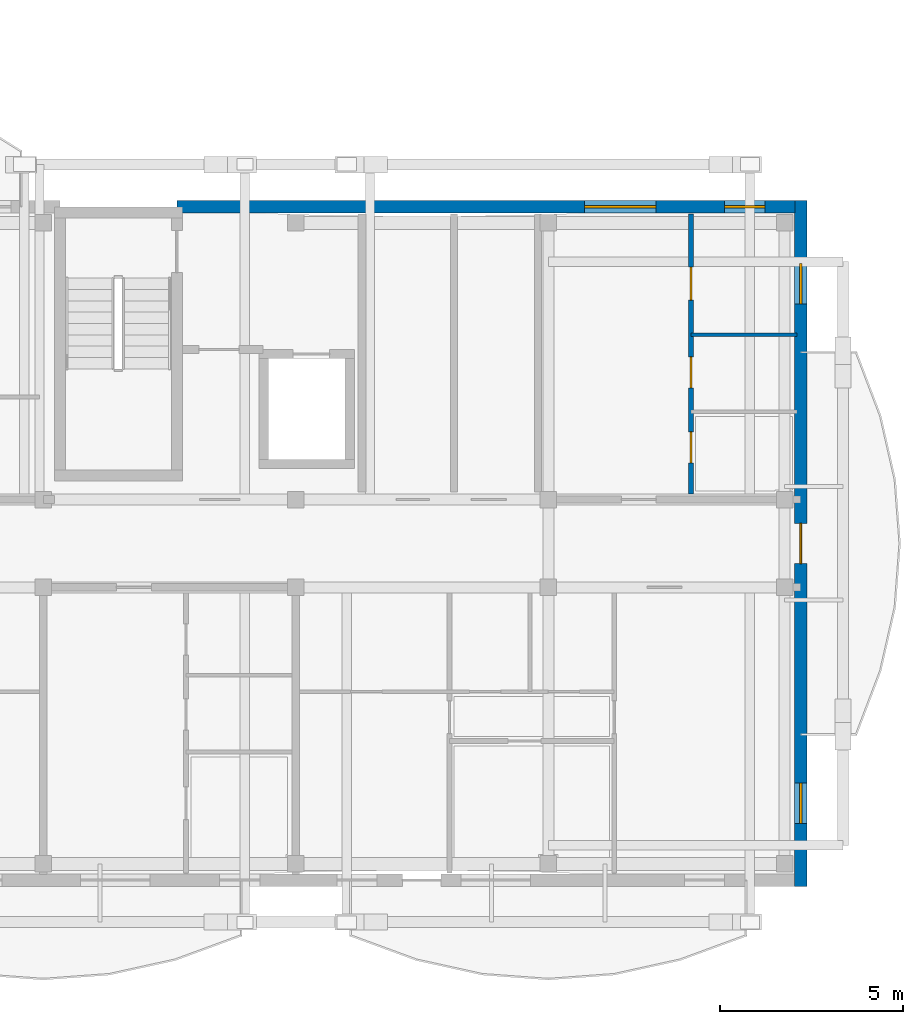
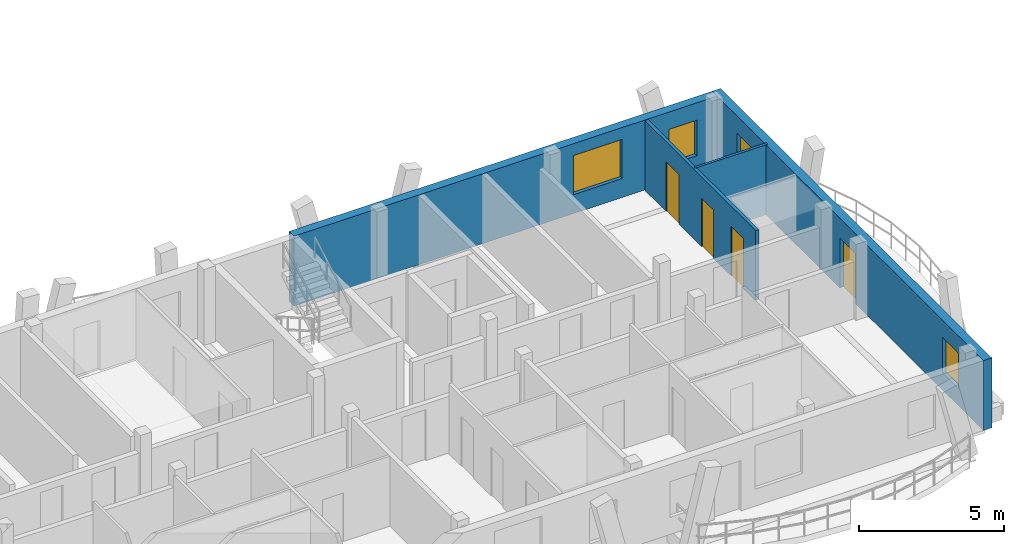
# One storey, part 31 of 48: 4 doors, 4 walls, 4 windows, 8 openings.
"""IFC4 building model written with IfcOpenShell, lengths in metres."""

from ifc_helpers import new_model, si_unit, direction, frame, frame_2d, origin, origin_with_axes, place, context, subcontext, project, spatial, rectangle, extrude, material, layer, layer_set, type_object, element, fill, save


model = new_model("IFC4")

# Units and contexts
model_context = context("Model", 3, precision=1e-05, world=origin(), true_north=direction((0.0, 1.0)))
body_context = subcontext(model_context, "Body", "Model", "MODEL_VIEW")
ifc_project = project(units=[si_unit("LENGTHUNIT", "METRE"), si_unit("AREAUNIT", "SQUARE_METRE"), si_unit("VOLUMEUNIT", "CUBIC_METRE"), si_unit("PLANEANGLEUNIT", "RADIAN"), si_unit("MASSUNIT", "GRAM", prefix="KILO")], contexts=[model_context])

# Site, building, storey
site_placement = place(None, origin())
site = spatial("IfcSite", under=ifc_project, at=site_placement, CompositionType="ELEMENT")
building_placement = place(site_placement, origin())
building = spatial("IfcBuilding", under=site, at=building_placement, Name="Zavelmont Quarter", CompositionType="ELEMENT")
storey_placement = place(building_placement, frame((0.0, 0.0, 17.60009765625)))
storey = spatial("IfcBuildingStorey", under=building, at=storey_placement, Name="L05", CompositionType="ELEMENT", Elevation=17.60009765625)

# Wall, openings, windows
ifc_material_1 = material(Name="Natural Belgian limestone", Category="masonry")
ifc_layer_1 = layer(ifc_material_1, 0.340087890625)
ifc_layer_set_1 = layer_set([ifc_layer_1], Name="Natural Belgian limestone")
wall_type_1 = type_object("IfcWallType", Name="EW03", PredefinedType="STANDARD", material=ifc_layer_set_1)
wall_1_placement = place(storey_placement, frame((150.949951171875, 18.39990234375, 0.0), z_axis=(0.0, 0.0, 1.0), x_axis=(1.0, 0.0, 0.0)))
wall_1 = element("IfcWall", 1, at=wall_1_placement, inside=storey, type_object=wall_type_1, Name="L05 exterior limestone wall EW03", PredefinedType="STANDARD", context=body_context, shape_type="SweptSolid", body=[
    extrude(rectangle(XDim=16.89013671875, YDim=0.340087890625, at=frame_2d((8.445068359375, 0.0))), origin(), (0.0, 0.0, 1.0), 2.949951171875),
])
opening_1_placement = place(wall_1_placement, frame((11.14501953125, 0.0, 0.800048828125)))
opening_1 = element("IfcOpeningElement", 2, at=opening_1_placement, cuts=wall_1, Name="Opening WN24", PredefinedType="OPENING", context=body_context, shape_type="SweptSolid", body=[
    extrude(rectangle(XDim=1.949951171875, YDim=1.64990234375, at=frame_2d((0.97509765625, 0.824951171875))), frame((0.0, 0.18212890625, 0.0), z_axis=(0.0, -1.0, 0.0), x_axis=(1.0, 0.0, 0.0)), (0.0, 0.0, 1.0), 0.364013671875),
])
opening_2_placement = place(wall_1_placement, frame((14.969970703125, 0.0, 0.719970703125)))
opening_2 = element("IfcOpeningElement", 3, at=opening_2_placement, cuts=wall_1, Name="Opening WN09", PredefinedType="OPENING", context=body_context, shape_type="SweptSolid", body=[
    extrude(rectangle(XDim=1.10009765625, YDim=1.5, at=frame_2d((0.550048828125, 0.75))), frame((0.0, 0.18212890625, 0.0), z_axis=(0.0, -1.0, 0.0), x_axis=(1.0, 0.0, 0.0)), (0.0, 0.0, 1.0), 0.364013671875),
])
ifc_material_2 = material(Name="Double low-E insulated glazing in thermally broken aluminium frame", Category="aluminium")
window_type_1 = type_object("IfcWindowType", Name="WN09", PartitioningType="SINGLE_PANEL", PredefinedType="WINDOW", material=ifc_material_2)
window_1_placement = place(opening_2_placement, origin_with_axes())
window_1 = element("IfcWindow", 4, at=window_1_placement, inside=storey, type_object=window_type_1, Name="L05 window WN09", OverallHeight=1.5, OverallWidth=1.10009765625, PartitioningType="SINGLE_PANEL", PredefinedType="WINDOW", context=body_context, shape_type="SweptSolid", body=[
    extrude(rectangle(XDim=1.10009765625, YDim=1.5, at=frame_2d((0.550048828125, 0.75))), frame((0.0, 0.030029296875, 0.0), z_axis=(0.0, -1.0, 0.0), x_axis=(1.0, 0.0, 0.0)), (0.0, 0.0, 1.0), 0.06005859375),
])
fill(opening_2, window_1)
window_type_2 = type_object("IfcWindowType", Name="WN24", PartitioningType="SINGLE_PANEL", PredefinedType="WINDOW", material=ifc_material_2)
window_2_placement = place(opening_1_placement, origin_with_axes())
window_2 = element("IfcWindow", 5, at=window_2_placement, inside=storey, type_object=window_type_2, Name="L05 window WN24", OverallHeight=1.64990234375, OverallWidth=1.949951171875, PartitioningType="SINGLE_PANEL", PredefinedType="WINDOW", context=body_context, shape_type="SweptSolid", body=[
    extrude(rectangle(XDim=1.949951171875, YDim=1.64990234375, at=frame_2d((0.97509765625, 0.824951171875))), frame((0.0, 0.030029296875, 0.0), z_axis=(0.0, -1.0, 0.0), x_axis=(1.0, 0.0, 0.0)), (0.0, 0.0, 1.0), 0.06005859375),
])
fill(opening_1, window_2)

# Wall, openings, door, windows
wall_2_placement = place(storey_placement, frame((168.0, -0.169921875, 0.0), z_axis=(0.0, 0.0, 1.0), x_axis=(0.0, 1.0, 0.0)))
wall_2 = element("IfcWall", 6, at=wall_2_placement, inside=storey, type_object=wall_type_1, Name="L05 exterior limestone wall EW03", PredefinedType="STANDARD", context=body_context, shape_type="SweptSolid", body=[
    extrude(rectangle(XDim=18.739990234375, YDim=0.340087890625, at=frame_2d((9.3701171875, 0.0))), origin(), (0.0, 0.0, 1.0), 2.949951171875),
])
opening_3_placement = place(wall_2_placement, frame((8.820068359375, 0.0, 0.0)))
opening_3 = element("IfcOpeningElement", 7, at=opening_3_placement, cuts=wall_2, Name="Opening DR04B", PredefinedType="OPENING", context=body_context, shape_type="SweptSolid", body=[
    extrude(rectangle(XDim=1.10009765625, YDim=2.10009765625, at=frame_2d((0.550048828125, 1.050048828125))), frame((0.0, 0.18212890625, 0.0), z_axis=(0.0, -1.0, 0.0), x_axis=(1.0, 0.0, 0.0)), (0.0, 0.0, 1.0), 0.364013671875),
])
opening_4_placement = place(wall_2_placement, frame((1.719970703125, 0.0, 0.719970703125)))
opening_4 = element("IfcOpeningElement", 8, at=opening_4_placement, cuts=wall_2, Name="Opening WN09", PredefinedType="OPENING", context=body_context, shape_type="SweptSolid", body=[
    extrude(rectangle(XDim=1.10009765625, YDim=1.5, at=frame_2d((0.550048828125, 0.75))), frame((0.0, 0.18212890625, 0.0), z_axis=(0.0, -1.0, 0.0), x_axis=(1.0, 0.0, 0.0)), (0.0, 0.0, 1.0), 0.364013671875),
])
opening_5_placement = place(wall_2_placement, frame((15.919921875, 0.0, 0.719970703125)))
opening_5 = element("IfcOpeningElement", 9, at=opening_5_placement, cuts=wall_2, Name="Opening WN09", PredefinedType="OPENING", context=body_context, shape_type="SweptSolid", body=[
    extrude(rectangle(XDim=1.10009765625, YDim=1.5, at=frame_2d((0.550048828125, 0.75))), frame((0.0, 0.18212890625, 0.0), z_axis=(0.0, -1.0, 0.0), x_axis=(1.0, 0.0, 0.0)), (0.0, 0.0, 1.0), 0.364013671875),
])
ifc_material_3 = material(Name="Thermally broken aluminium and double safety glass", Category="aluminium")
door_type_1 = type_object("IfcDoorType", Name="DR04B", OperationType="NOTDEFINED", PredefinedType="DOOR", material=ifc_material_3)
door_1_placement = place(opening_3_placement, origin_with_axes())
door_1 = element("IfcDoor", 10, at=door_1_placement, inside=storey, type_object=door_type_1, Name="Block D L05 terrace or vase balcony door", OperationType="SINGLE_SWING_LEFT", OverallHeight=2.10009765625, OverallWidth=1.10009765625, PredefinedType="DOOR", context=body_context, shape_type="SweptSolid", body=[
    extrude(rectangle(XDim=1.10009765625, YDim=2.10009765625, at=frame_2d((0.550048828125, 1.050048828125))), frame((0.0, 0.02490234375, 0.0), z_axis=(0.0, -1.0, 0.0), x_axis=(1.0, 0.0, 0.0)), (0.0, 0.0, 1.0), 0.050048828125),
])
fill(opening_3, door_1)
window_3_placement = place(opening_4_placement, origin_with_axes())
window_3 = element("IfcWindow", 11, at=window_3_placement, inside=storey, type_object=window_type_1, Name="L05 window WN09", OverallHeight=1.5, OverallWidth=1.10009765625, PartitioningType="SINGLE_PANEL", PredefinedType="WINDOW", context=body_context, shape_type="SweptSolid", body=[
    extrude(rectangle(XDim=1.10009765625, YDim=1.5, at=frame_2d((0.550048828125, 0.75))), frame((0.0, 0.030029296875, 0.0), z_axis=(0.0, -1.0, 0.0), x_axis=(1.0, 0.0, 0.0)), (0.0, 0.0, 1.0), 0.06005859375),
])
fill(opening_4, window_3)
window_4_placement = place(opening_5_placement, origin_with_axes())
window_4 = element("IfcWindow", 12, at=window_4_placement, inside=storey, type_object=window_type_1, Name="L05 window WN09", OverallHeight=1.5, OverallWidth=1.10009765625, PartitioningType="SINGLE_PANEL", PredefinedType="WINDOW", context=body_context, shape_type="SweptSolid", body=[
    extrude(rectangle(XDim=1.10009765625, YDim=1.5, at=frame_2d((0.550048828125, 0.75))), frame((0.0, 0.030029296875, 0.0), z_axis=(0.0, -1.0, 0.0), x_axis=(1.0, 0.0, 0.0)), (0.0, 0.0, 1.0), 0.06005859375),
])
fill(opening_5, window_4)

# Wall, openings, doors
ifc_material_4 = material(Name="Double gypsum board on acoustic steel stud", Category="steel")
ifc_layer_2 = layer(ifc_material_4, 0.125)
ifc_layer_set_2 = layer_set([ifc_layer_2], Name="Double gypsum board on acoustic steel stud")
wall_type_2 = type_object("IfcWallType", Name="IW03", PredefinedType="PARTITIONING", material=ifc_layer_set_2)
wall_3_placement = place(storey_placement, frame((165.0, 10.550048828125, 0.0), z_axis=(0.0, 0.0, 1.0), x_axis=(0.0, 1.0, 0.0)))
wall_3 = element("IfcWall", 13, at=wall_3_placement, inside=storey, type_object=wall_type_2, Name="L05 Partition IW03", PredefinedType="PARTITIONING", context=body_context, shape_type="SweptSolid", body=[
    extrude(rectangle(XDim=7.64990234375, YDim=0.125, at=frame_2d((3.824951171875, 0.0))), origin(), (0.0, 0.0, 1.0), 2.949951171875),
])
opening_6_placement = place(wall_3_placement, frame((0.85009765625, 0.0, 0.0)))
opening_6 = element("IfcOpeningElement", 14, at=opening_6_placement, cuts=wall_3, Name="Opening DR16", PredefinedType="OPENING", context=body_context, shape_type="SweptSolid", body=[
    extrude(rectangle(XDim=0.85009765625, YDim=2.10009765625, at=frame_2d((0.425048828125, 1.050048828125))), frame((0.0, 0.074462890625, 0.0), z_axis=(0.0, -1.0, 0.0), x_axis=(1.0, 0.0, 0.0)), (0.0, 0.0, 1.0), 0.14892578125),
])
opening_7_placement = place(wall_3_placement, frame((2.89990234375, 0.0, 0.0)))
opening_7 = element("IfcOpeningElement", 15, at=opening_7_placement, cuts=wall_3, Name="Opening DR06", PredefinedType="OPENING", context=body_context, shape_type="SweptSolid", body=[
    extrude(rectangle(XDim=0.85009765625, YDim=2.050048828125, at=frame_2d((0.425048828125, 1.02490234375))), frame((0.0, 0.074462890625, 0.0), z_axis=(0.0, -1.0, 0.0), x_axis=(1.0, 0.0, 0.0)), (0.0, 0.0, 1.0), 0.14892578125),
])
opening_8_placement = place(wall_3_placement, frame((5.300048828125, 0.0, 0.0)))
opening_8 = element("IfcOpeningElement", 16, at=opening_8_placement, cuts=wall_3, Name="Opening DR05", PredefinedType="OPENING", context=body_context, shape_type="SweptSolid", body=[
    extrude(rectangle(XDim=0.89990234375, YDim=2.10009765625, at=frame_2d((0.449951171875, 1.050048828125))), frame((0.0, 0.074462890625, 0.0), z_axis=(0.0, -1.0, 0.0), x_axis=(1.0, 0.0, 0.0)), (0.0, 0.0, 1.0), 0.14892578125),
])
ifc_material_5 = material(Name="Engineered oak flush interior door")
door_type_2 = type_object("IfcDoorType", Name="DR05", OperationType="NOTDEFINED", PredefinedType="DOOR", material=ifc_material_5)
door_2_placement = place(opening_8_placement, origin_with_axes())
door_2 = element("IfcDoor", 17, at=door_2_placement, inside=storey, type_object=door_type_2, Name="L05 door DR05", OperationType="SINGLE_SWING_RIGHT", OverallHeight=2.10009765625, OverallWidth=0.89990234375, PredefinedType="DOOR", context=body_context, shape_type="SweptSolid", body=[
    extrude(rectangle(XDim=0.89990234375, YDim=2.10009765625, at=frame_2d((0.449951171875, 1.050048828125))), frame((0.0, 0.02490234375, 0.0), z_axis=(0.0, -1.0, 0.0), x_axis=(1.0, 0.0, 0.0)), (0.0, 0.0, 1.0), 0.050048828125),
])
fill(opening_8, door_2)
ifc_material_6 = material(Name="Moisture-resistant painted wet-room door")
door_type_3 = type_object("IfcDoorType", Name="DR06", OperationType="NOTDEFINED", PredefinedType="DOOR", material=ifc_material_6)
door_3_placement = place(opening_7_placement, frame((0.85009765625, 0.0, 0.0), z_axis=(0.0, 0.0, 1.0), x_axis=(-1.0, 0.0, 0.0)))
door_3 = element("IfcDoor", 18, at=door_3_placement, inside=storey, type_object=door_type_3, Name="L05 door DR06", OperationType="SINGLE_SWING_LEFT", OverallHeight=2.050048828125, OverallWidth=0.85009765625, PredefinedType="DOOR", context=body_context, shape_type="SweptSolid", body=[
    extrude(rectangle(XDim=0.85009765625, YDim=2.050048828125, at=frame_2d((0.425048828125, 1.02490234375))), frame((0.0, 0.02490234375, 0.0), z_axis=(0.0, -1.0, 0.0), x_axis=(1.0, 0.0, 0.0)), (0.0, 0.0, 1.0), 0.050048828125),
])
fill(opening_7, door_3)
door_type_4 = type_object("IfcDoorType", Name="DR16", OperationType="NOTDEFINED", PredefinedType="DOOR", material=ifc_material_5)
door_4_placement = place(opening_6_placement, origin_with_axes())
door_4 = element("IfcDoor", 19, at=door_4_placement, inside=storey, type_object=door_type_4, Name="L05 door DR16", OperationType="SINGLE_SWING_RIGHT", OverallHeight=2.10009765625, OverallWidth=0.85009765625, PredefinedType="DOOR", context=body_context, shape_type="SweptSolid", body=[
    extrude(rectangle(XDim=0.85009765625, YDim=2.10009765625, at=frame_2d((0.425048828125, 1.050048828125))), frame((0.0, 0.02490234375, 0.0), z_axis=(0.0, -1.0, 0.0), x_axis=(1.0, 0.0, 0.0)), (0.0, 0.0, 1.0), 0.050048828125),
])
fill(opening_6, door_4)

# Wall
ifc_material_7 = material(Name="Moisture-resistant gypsum board on steel stud", Category="steel")
ifc_layer_3 = layer(ifc_material_7, 0.10009765625)
ifc_layer_set_3 = layer_set([ifc_layer_3], Name="Moisture-resistant gypsum board on steel stud")
wall_type_3 = type_object("IfcWallType", Name="IW04", PredefinedType="PARTITIONING", material=ifc_layer_set_3)
wall_4_placement = place(storey_placement, frame((165.0, 14.89990234375, 0.0), z_axis=(0.0, 0.0, 1.0), x_axis=(1.0, 0.0, 0.0)))
element("IfcWall", 20, at=wall_4_placement, inside=storey, type_object=wall_type_3, Name="L05 Partition IW04", PredefinedType="PARTITIONING", context=body_context, shape_type="SweptSolid", body=[
    extrude(rectangle(XDim=2.89990234375, YDim=0.10009765625, at=frame_2d((1.449951171875, 0.0))), origin(), (0.0, 0.0, 1.0), 2.949951171875),
])

save(model, "model.ifc")
